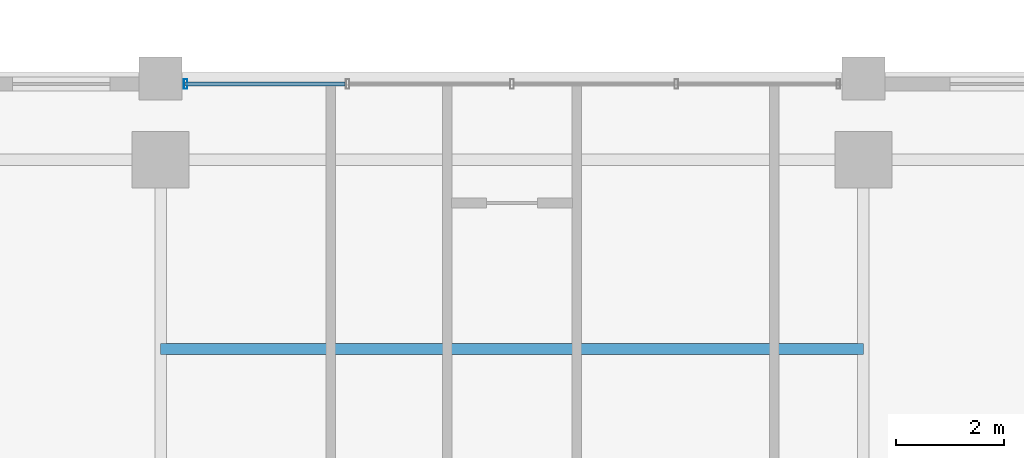
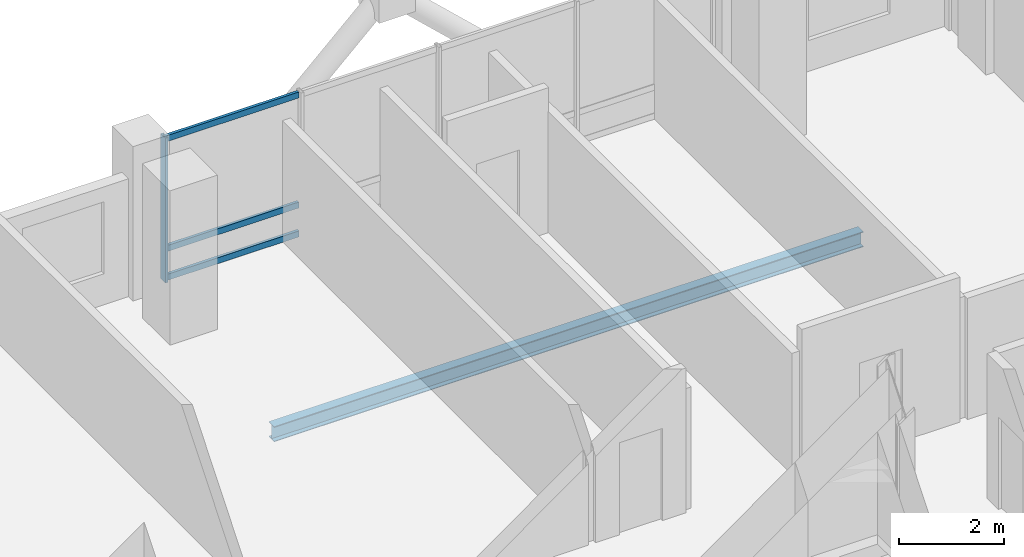
# One storey, part 13 of 23: 4 members, 1 beam, 1 element without a shape of its own.
"""IFC4 building model written with IfcOpenShell, lengths in metres."""

from ifc_helpers import new_model, si_unit, direction, frame, origin, origin_2d, place, context, subcontext, project, spatial, hollow_rectangle, i_section, extrude, material, layer, layer_set, material_profile, profile_set, type_object, element, aggregate, save


model = new_model("IFC4")

# Units and contexts
model_context = context("Model", 3, precision=1e-05, world=origin(), true_north=direction((0.0, 1.0)))
body_context = subcontext(model_context, "Body", "Model", "MODEL_VIEW")
ifc_project = project(units=[si_unit("LENGTHUNIT", "METRE"), si_unit("AREAUNIT", "SQUARE_METRE"), si_unit("VOLUMEUNIT", "CUBIC_METRE"), si_unit("PLANEANGLEUNIT", "RADIAN"), si_unit("MASSUNIT", "GRAM", prefix="KILO")], contexts=[model_context])

# Site, building, storey
site_placement = place(None, origin())
site = spatial("IfcSite", under=ifc_project, at=site_placement, CompositionType="ELEMENT")
building_placement = place(site_placement, origin())
building = spatial("IfcBuilding", under=site, at=building_placement, Name="Barlavira Tower and Art Museum", CompositionType="ELEMENT")
storey_placement = place(building_placement, frame((0.0, 0.0, 205.199951171875)))
storey = spatial("IfcBuildingStorey", under=building, at=storey_placement, Name="L53", CompositionType="ELEMENT", Elevation=205.199951171875)

# Curtain wall, members
ifc_material_1 = material(Name="Low-iron coastal laminated glass", Category="glass")
ifc_layer = layer(ifc_material_1, 0.199951171875, Name="Low-iron coastal laminated glass")
ifc_layer_set = layer_set([ifc_layer], Name="Low-iron coastal laminated glass")
curtain_wall_type = type_object("IfcCurtainWallType", Name="Pale-Metal Unitised Curtain Wall Zone 3", PredefinedType="NOTDEFINED", material=ifc_layer_set)
curtain_wall_placement = place(storey_placement, origin())
curtain_wall = element("IfcCurtainWall", 1, at=curtain_wall_placement, inside=storey, type_object=curtain_wall_type, Name="L53 Curtain Wall CW3-L53-N-B3", PredefinedType="NOTDEFINED")
ifc_material_2 = material(Name="Pale anodised aluminium", Category="aluminium")
ifc_material_profile_1 = material_profile(ifc_material_2, hollow_rectangle(XDim=0.06494140625, YDim=0.179931640625, WallThickness=0.00390625, at=origin_2d()), Name="ALU-MULL 65x180x4")
ifc_profile_set_1 = profile_set([ifc_material_profile_1], Name="Pale anodised aluminium")
member_type_1 = type_object("IfcMemberType", Name="Curtain Wall Pale-Metal Mullion 65x180", PredefinedType="MULLION", material=ifc_profile_set_1)
member_1_placement = place(storey_placement, frame((-6.034912109375, 21.39990234375, 0.0), z_axis=(0.0, 0.0, 1.0), x_axis=(-1.0, 0.0, 0.0)))
member_1 = element("IfcMember", 2, at=member_1_placement, type_object=member_type_1, Name="CW3-L53-N-B3 Mullion 4", PredefinedType="MULLION", context=body_context, shape_type="SweptSolid", body=[
    extrude(hollow_rectangle(XDim=0.06494140625, YDim=0.179931640625, WallThickness=0.00390625, at=origin_2d()), origin(), (0.0, 0.0, 1.0), 3.380126953125),
])
ifc_material_profile_2 = material_profile(ifc_material_2, hollow_rectangle(XDim=0.06494140625, YDim=0.139892578125, WallThickness=0.00390625, at=origin_2d()), Name="ALU-TRAN 65x140x4")
ifc_profile_set_2 = profile_set([ifc_material_profile_2], Name="Pale anodised aluminium")
member_type_2 = type_object("IfcMemberType", Name="Curtain Wall Pale-Metal Transom 65x140", PredefinedType="USERDEFINED", material=ifc_profile_set_2)
member_2_placement = place(storey_placement, frame((-3.0849609375, 21.39990234375, 0.070068359375), z_axis=(-1.0, 0.0, 0.0), x_axis=(0.0, -1.0, 0.0)))
member_2 = element("IfcMember", 3, at=member_2_placement, type_object=member_type_2, Name="CW3-L53-N-B3 Transom 3.1", ObjectType="TRANSOM", PredefinedType="USERDEFINED", context=body_context, shape_type="SweptSolid", body=[
    extrude(hollow_rectangle(XDim=0.06494140625, YDim=0.139892578125, WallThickness=0.00390625, at=origin_2d()), origin(), (0.0, 0.0, 1.0), 2.949951171875),
])
member_3_placement = place(storey_placement, frame((-3.0849609375, 21.39990234375, 0.744140625), z_axis=(-1.0, 0.0, 0.0), x_axis=(0.0, -1.0, 0.0)))
member_3 = element("IfcMember", 4, at=member_3_placement, type_object=member_type_2, Name="CW3-L53-N-B3 Transom 3.2", ObjectType="TRANSOM", PredefinedType="USERDEFINED", context=body_context, shape_type="SweptSolid", body=[
    extrude(hollow_rectangle(XDim=0.06494140625, YDim=0.139892578125, WallThickness=0.00390625, at=origin_2d()), origin(), (0.0, 0.0, 1.0), 2.949951171875),
])
member_4_placement = place(storey_placement, frame((-3.0849609375, 21.39990234375, 3.31005859375), z_axis=(-1.0, 0.0, 0.0), x_axis=(0.0, -1.0, 0.0)))
member_4 = element("IfcMember", 5, at=member_4_placement, type_object=member_type_2, Name="CW3-L53-N-B3 Transom 3.3", ObjectType="TRANSOM", PredefinedType="USERDEFINED", context=body_context, shape_type="SweptSolid", body=[
    extrude(hollow_rectangle(XDim=0.06494140625, YDim=0.139892578125, WallThickness=0.00390625, at=origin_2d()), origin(), (0.0, 0.0, 1.0), 2.949951171875),
])
aggregate(curtain_wall, [member_1, member_2, member_3, member_4])

# Beam
ifc_material_3 = material(Name="Steel S355", Category="steel")
ifc_material_profile_3 = material_profile(ifc_material_3, i_section(OverallWidth=0.205078125, OverallDepth=0.35400390625, WebThickness=0.009521484375, FlangeThickness=0.016845703125, at=origin_2d()), Name="W360x79.0")
ifc_profile_set_3 = profile_set([ifc_material_profile_3], Name="Steel S355")
beam_type = type_object("IfcBeamType", Name="Zone 3 Composite Floor Joist W360x79 Steel S355", PredefinedType="JOIST", material=ifc_profile_set_3)
beam_placement = place(storey_placement, frame((-6.5, 16.5, -0.39697265625), z_axis=(1.0, 0.0, 0.0), x_axis=(0.0, 1.0, 0.0)))
element("IfcBeam", 6, at=beam_placement, inside=storey, type_object=beam_type, Name="L53 Joist C2", PredefinedType="JOIST", context=body_context, shape_type="SweptSolid", body=[
    extrude(i_section(OverallWidth=0.205078125, OverallDepth=0.35400390625, WebThickness=0.009521484375, FlangeThickness=0.016845703125, at=origin_2d()), origin(), (0.0, 0.0, 1.0), 13.0),
])

save(model, "model.ifc")
